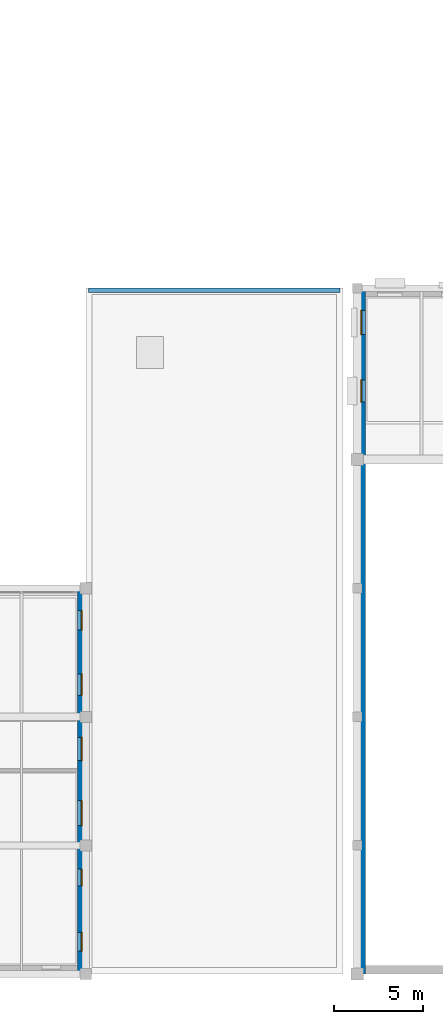
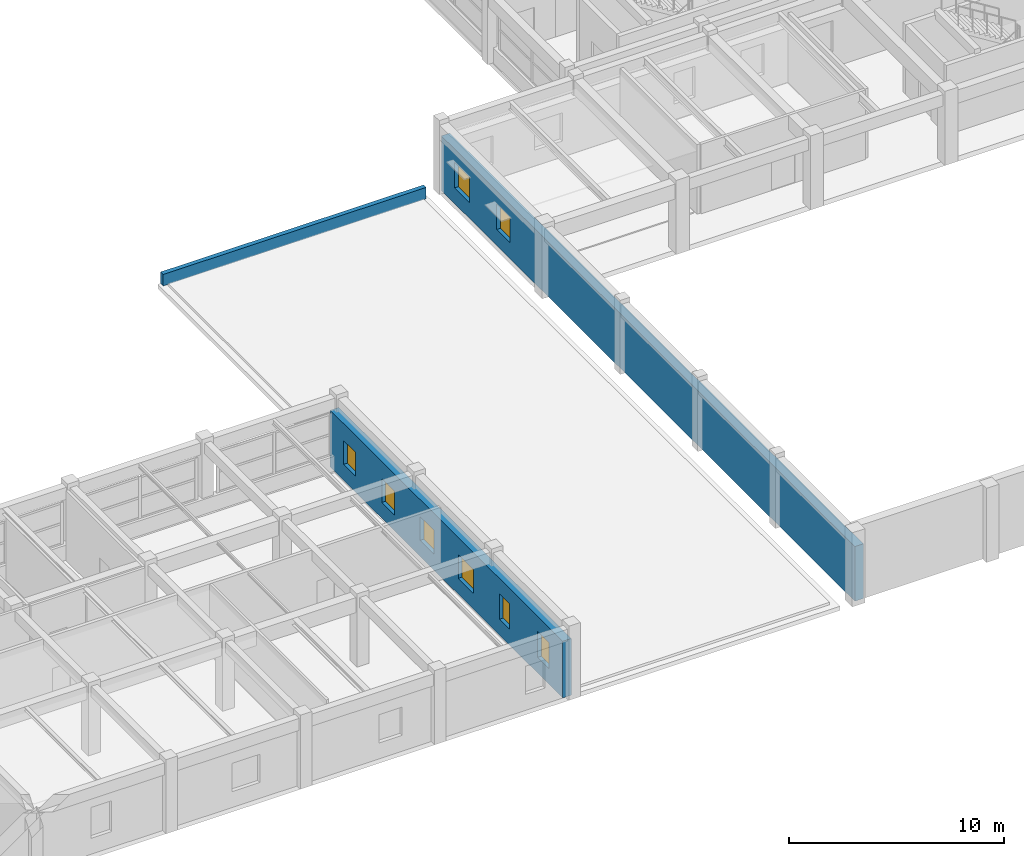
# One storey, part 48 of 67: 8 windows, 3 walls, 8 openings.
"""IFC4 building model written with IfcOpenShell, lengths in metres."""

from ifc_helpers import new_model, si_unit, direction, frame, frame_2d, origin, place, context, subcontext, project, spatial, rectangle, extrude, material, layer, layer_set, type_object, element, fill, save


model = new_model("IFC4")

# Units and contexts
model_context = context("Model", 3, precision=1e-05, world=origin(), true_north=direction((0.0, 1.0)))
body_context = subcontext(model_context, "Body", "Model", "MODEL_VIEW")
ifc_project = project(units=[si_unit("LENGTHUNIT", "METRE"), si_unit("AREAUNIT", "SQUARE_METRE"), si_unit("VOLUMEUNIT", "CUBIC_METRE"), si_unit("PLANEANGLEUNIT", "RADIAN"), si_unit("MASSUNIT", "GRAM", prefix="KILO")], contexts=[model_context])

# Site, building, storey
site_placement = place(None, origin())
site = spatial("IfcSite", under=ifc_project, at=site_placement, CompositionType="ELEMENT")
building_placement = place(site_placement, origin())
building = spatial("IfcBuilding", under=site, at=building_placement, Name="Bramveld Media Centre", CompositionType="ELEMENT")
storey_placement = place(building_placement, frame((0.0, 0.0, 5.39990234375)))
storey = spatial("IfcBuildingStorey", under=building, at=storey_placement, Name="L01", CompositionType="ELEMENT", Elevation=5.39990234375)

# Wall, openings, windows
ifc_material_1 = material(Name="Flemish red-brown clay facing brick cavity wall with concrete C35/45 inner leaf", Category="masonry")
ifc_layer_1 = layer(ifc_material_1, 0.4599609375)
ifc_layer_set_1 = layer_set([ifc_layer_1], Name="Flemish red-brown clay facing brick cavity wall with concrete C35/45 inner leaf")
wall_type_1 = type_object("IfcWallType", Name="EW-BRK-460", PredefinedType="SOLIDWALL", material=ifc_layer_set_1)
wall_1_placement = place(storey_placement, frame((124.22998046875, 0.0, 0.0), z_axis=(0.0, 0.0, 1.0), x_axis=(0.0, 1.0, 0.0)))
wall_1 = element("IfcWall", 1, at=wall_1_placement, inside=storey, type_object=wall_type_1, Name="V1 L01 W facing brick exterior wall", PredefinedType="SOLIDWALL", context=body_context, shape_type="SweptSolid", body=[
    extrude(rectangle(XDim=38.39990234375, YDim=0.4599609375, at=frame_2d((19.199951171875, 0.0))), origin(), (0.0, 0.0, 1.0), 3.09521484375),
])
opening_1_placement = place(wall_1_placement, frame((32.014892578125, 0.0, 0.89990234375)))
opening_1 = element("IfcOpeningElement", 2, at=opening_1_placement, cuts=wall_1, Name="Opening W-10", PredefinedType="OPENING", context=body_context, shape_type="SweptSolid", body=[
    extrude(rectangle(XDim=1.25, YDim=1.449951171875, at=frame_2d((0.625, 0.72509765625))), frame((0.0, 0.241943359375, 0.0), z_axis=(0.0, -1.0, 0.0), x_axis=(1.0, 0.0, 0.0)), (0.0, 0.0, 1.0), 0.48388671875),
])
opening_2_placement = place(wall_1_placement, frame((35.804931640625, 0.0, 0.89990234375)))
opening_2 = element("IfcOpeningElement", 3, at=opening_2_placement, cuts=wall_1, Name="Opening W-11", PredefinedType="OPENING", context=body_context, shape_type="SweptSolid", body=[
    extrude(rectangle(XDim=1.35009765625, YDim=1.449951171875, at=frame_2d((0.675048828125, 0.72509765625))), frame((0.0, 0.241943359375, 0.0), z_axis=(0.0, -1.0, 0.0), x_axis=(1.0, 0.0, 0.0)), (0.0, 0.0, 1.0), 0.48388671875),
])
ifc_material_2 = material(Name="Thermally broken anodized bronze aluminium frame with triple acoustic glazing", Category="aluminium")
window_type_1 = type_object("IfcWindowType", Name="WIN-FAC-10", PartitioningType="SINGLE_PANEL", PredefinedType="WINDOW", material=ifc_material_2)
window_1_placement = place(opening_1_placement, origin())
window_1 = element("IfcWindow", 4, at=window_1_placement, inside=storey, type_object=window_type_1, Name="V1 L01 W acoustic facade window", OverallHeight=1.449951171875, OverallWidth=1.25, PartitioningType="SINGLE_PANEL", PredefinedType="WINDOW", context=body_context, shape_type="SweptSolid", body=[
    extrude(rectangle(XDim=1.25, YDim=1.449951171875, at=frame_2d((0.625, 0.72509765625))), frame((0.0, 0.030029296875, 0.0), z_axis=(0.0, -1.0, 0.0), x_axis=(1.0, 0.0, 0.0)), (0.0, 0.0, 1.0), 0.06005859375),
])
fill(opening_1, window_1)
ifc_material_3 = material(Name="Thermally broken anodized bronze aluminium frame with triple acoustic glazing", Category="aluminium")
window_type_2 = type_object("IfcWindowType", Name="WIN-FAC-11", PartitioningType="SINGLE_PANEL", PredefinedType="WINDOW", material=ifc_material_3)
window_2_placement = place(opening_2_placement, origin())
window_2 = element("IfcWindow", 5, at=window_2_placement, inside=storey, type_object=window_type_2, Name="V1 L01 W acoustic facade window", OverallHeight=1.449951171875, OverallWidth=1.35009765625, PartitioningType="SINGLE_PANEL", PredefinedType="WINDOW", context=body_context, shape_type="SweptSolid", body=[
    extrude(rectangle(XDim=1.35009765625, YDim=1.449951171875, at=frame_2d((0.675048828125, 0.72509765625))), frame((0.0, 0.030029296875, 0.0), z_axis=(0.0, -1.0, 0.0), x_axis=(1.0, 0.0, 0.0)), (0.0, 0.0, 1.0), 0.06005859375),
])
fill(opening_2, window_2)

wall_2_placement = place(storey_placement, frame((108.570068359375, 21.60009765625, 0.0), z_axis=(0.0, 0.0, 1.0), x_axis=(0.0, -1.0, 0.0)))
wall_2 = element("IfcWall", 6, at=wall_2_placement, inside=storey, type_object=wall_type_1, Name="V5 L01 E facing brick exterior wall", PredefinedType="SOLIDWALL", context=body_context, shape_type="SweptSolid", body=[
    extrude(rectangle(XDim=21.60009765625, YDim=0.4599609375, at=frame_2d((10.800048828125, 0.0))), origin(), (0.0, 0.0, 1.0), 3.215087890625),
])
opening_3_placement = place(wall_2_placement, frame((1.25, 0.0, 0.89990234375)))
opening_3 = element("IfcOpeningElement", 7, at=opening_3_placement, cuts=wall_2, Name="Opening W-03", PredefinedType="OPENING", context=body_context, shape_type="SweptSolid", body=[
    extrude(rectangle(XDim=1.10009765625, YDim=1.35009765625, at=frame_2d((0.550048828125, 0.675048828125))), frame((0.0, 0.241943359375, 0.0), z_axis=(0.0, -1.0, 0.0), x_axis=(1.0, 0.0, 0.0)), (0.0, 0.0, 1.0), 0.48388671875),
])
opening_4_placement = place(wall_2_placement, frame((4.800048828125, 0.0, 0.89990234375)))
opening_4 = element("IfcOpeningElement", 8, at=opening_4_placement, cuts=wall_2, Name="Opening W-04", PredefinedType="OPENING", context=body_context, shape_type="SweptSolid", body=[
    extrude(rectangle(XDim=1.199951171875, YDim=1.35009765625, at=frame_2d((0.60009765625, 0.675048828125))), frame((0.0, 0.241943359375, 0.0), z_axis=(0.0, -1.0, 0.0), x_axis=(1.0, 0.0, 0.0)), (0.0, 0.0, 1.0), 0.48388671875),
])
opening_5_placement = place(wall_2_placement, frame((8.35009765625, 0.0, 0.89990234375)))
opening_5 = element("IfcOpeningElement", 9, at=opening_5_placement, cuts=wall_2, Name="Opening W-05", PredefinedType="OPENING", context=body_context, shape_type="SweptSolid", body=[
    extrude(rectangle(XDim=1.300048828125, YDim=1.35009765625, at=frame_2d((0.64990234375, 0.675048828125))), frame((0.0, 0.241943359375, 0.0), z_axis=(0.0, -1.0, 0.0), x_axis=(1.0, 0.0, 0.0)), (0.0, 0.0, 1.0), 0.48388671875),
])
opening_6_placement = place(wall_2_placement, frame((11.89990234375, 0.0, 0.89990234375)))
opening_6 = element("IfcOpeningElement", 10, at=opening_6_placement, cuts=wall_2, Name="Opening W-06", PredefinedType="OPENING", context=body_context, shape_type="SweptSolid", body=[
    extrude(rectangle(XDim=1.39990234375, YDim=1.35009765625, at=frame_2d((0.699951171875, 0.675048828125))), frame((0.0, 0.241943359375, 0.0), z_axis=(0.0, -1.0, 0.0), x_axis=(1.0, 0.0, 0.0)), (0.0, 0.0, 1.0), 0.48388671875),
])
opening_7_placement = place(wall_2_placement, frame((15.72509765625, 0.0, 0.89990234375)))
opening_7 = element("IfcOpeningElement", 11, at=opening_7_placement, cuts=wall_2, Name="Opening W-07", PredefinedType="OPENING", context=body_context, shape_type="SweptSolid", body=[
    extrude(rectangle(XDim=0.949951171875, YDim=1.449951171875, at=frame_2d((0.47509765625, 0.72509765625))), frame((0.0, 0.241943359375, 0.0), z_axis=(0.0, -1.0, 0.0), x_axis=(1.0, 0.0, 0.0)), (0.0, 0.0, 1.0), 0.48388671875),
])
opening_8_placement = place(wall_2_placement, frame((19.27490234375, 0.0, 0.89990234375)))
opening_8 = element("IfcOpeningElement", 12, at=opening_8_placement, cuts=wall_2, Name="Opening W-08", PredefinedType="OPENING", context=body_context, shape_type="SweptSolid", body=[
    extrude(rectangle(XDim=1.050048828125, YDim=1.449951171875, at=frame_2d((0.52490234375, 0.72509765625))), frame((0.0, 0.241943359375, 0.0), z_axis=(0.0, -1.0, 0.0), x_axis=(1.0, 0.0, 0.0)), (0.0, 0.0, 1.0), 0.48388671875),
])
ifc_material_4 = material(Name="Thermally broken anodized bronze aluminium frame with triple acoustic glazing", Category="aluminium")
window_type_3 = type_object("IfcWindowType", Name="WIN-FAC-03", PartitioningType="SINGLE_PANEL", PredefinedType="WINDOW", material=ifc_material_4)
window_3_placement = place(opening_3_placement, origin())
window_3 = element("IfcWindow", 13, at=window_3_placement, inside=storey, type_object=window_type_3, Name="V5 L01 E acoustic facade window", OverallHeight=1.35009765625, OverallWidth=1.10009765625, PartitioningType="SINGLE_PANEL", PredefinedType="WINDOW", context=body_context, shape_type="SweptSolid", body=[
    extrude(rectangle(XDim=1.10009765625, YDim=1.35009765625, at=frame_2d((0.550048828125, 0.675048828125))), frame((0.0, 0.030029296875, 0.0), z_axis=(0.0, -1.0, 0.0), x_axis=(1.0, 0.0, 0.0)), (0.0, 0.0, 1.0), 0.06005859375),
])
fill(opening_3, window_3)
ifc_material_5 = material(Name="Thermally broken anodized bronze aluminium frame with triple acoustic glazing", Category="aluminium")
window_type_4 = type_object("IfcWindowType", Name="WIN-FAC-04", PartitioningType="SINGLE_PANEL", PredefinedType="WINDOW", material=ifc_material_5)
window_4_placement = place(opening_4_placement, origin())
window_4 = element("IfcWindow", 14, at=window_4_placement, inside=storey, type_object=window_type_4, Name="V5 L01 E acoustic facade window", OverallHeight=1.35009765625, OverallWidth=1.199951171875, PartitioningType="SINGLE_PANEL", PredefinedType="WINDOW", context=body_context, shape_type="SweptSolid", body=[
    extrude(rectangle(XDim=1.199951171875, YDim=1.35009765625, at=frame_2d((0.60009765625, 0.675048828125))), frame((0.0, 0.030029296875, 0.0), z_axis=(0.0, -1.0, 0.0), x_axis=(1.0, 0.0, 0.0)), (0.0, 0.0, 1.0), 0.06005859375),
])
fill(opening_4, window_4)
ifc_material_6 = material(Name="Thermally broken anodized bronze aluminium frame with triple acoustic glazing", Category="aluminium")
window_type_5 = type_object("IfcWindowType", Name="WIN-FAC-05", PartitioningType="SINGLE_PANEL", PredefinedType="WINDOW", material=ifc_material_6)
window_5_placement = place(opening_5_placement, origin())
window_5 = element("IfcWindow", 15, at=window_5_placement, inside=storey, type_object=window_type_5, Name="V5 L01 E acoustic facade window", OverallHeight=1.35009765625, OverallWidth=1.300048828125, PartitioningType="SINGLE_PANEL", PredefinedType="WINDOW", context=body_context, shape_type="SweptSolid", body=[
    extrude(rectangle(XDim=1.300048828125, YDim=1.35009765625, at=frame_2d((0.64990234375, 0.675048828125))), frame((0.0, 0.030029296875, 0.0), z_axis=(0.0, -1.0, 0.0), x_axis=(1.0, 0.0, 0.0)), (0.0, 0.0, 1.0), 0.06005859375),
])
fill(opening_5, window_5)
ifc_material_7 = material(Name="Thermally broken anodized bronze aluminium frame with triple acoustic glazing", Category="aluminium")
window_type_6 = type_object("IfcWindowType", Name="WIN-FAC-06", PartitioningType="SINGLE_PANEL", PredefinedType="WINDOW", material=ifc_material_7)
window_6_placement = place(opening_6_placement, origin())
window_6 = element("IfcWindow", 16, at=window_6_placement, inside=storey, type_object=window_type_6, Name="V5 L01 E acoustic facade window", OverallHeight=1.35009765625, OverallWidth=1.39990234375, PartitioningType="SINGLE_PANEL", PredefinedType="WINDOW", context=body_context, shape_type="SweptSolid", body=[
    extrude(rectangle(XDim=1.39990234375, YDim=1.35009765625, at=frame_2d((0.699951171875, 0.675048828125))), frame((0.0, 0.030029296875, 0.0), z_axis=(0.0, -1.0, 0.0), x_axis=(1.0, 0.0, 0.0)), (0.0, 0.0, 1.0), 0.06005859375),
])
fill(opening_6, window_6)
ifc_material_8 = material(Name="Thermally broken anodized bronze aluminium frame with triple acoustic glazing", Category="aluminium")
window_type_7 = type_object("IfcWindowType", Name="WIN-FAC-07", PartitioningType="SINGLE_PANEL", PredefinedType="WINDOW", material=ifc_material_8)
window_7_placement = place(opening_7_placement, origin())
window_7 = element("IfcWindow", 17, at=window_7_placement, inside=storey, type_object=window_type_7, Name="V5 L01 E acoustic facade window", OverallHeight=1.449951171875, OverallWidth=0.949951171875, PartitioningType="SINGLE_PANEL", PredefinedType="WINDOW", context=body_context, shape_type="SweptSolid", body=[
    extrude(rectangle(XDim=0.949951171875, YDim=1.449951171875, at=frame_2d((0.47509765625, 0.72509765625))), frame((0.0, 0.030029296875, 0.0), z_axis=(0.0, -1.0, 0.0), x_axis=(1.0, 0.0, 0.0)), (0.0, 0.0, 1.0), 0.06005859375),
])
fill(opening_7, window_7)
ifc_material_9 = material(Name="Thermally broken anodized bronze aluminium frame with triple acoustic glazing", Category="aluminium")
window_type_8 = type_object("IfcWindowType", Name="WIN-FAC-08", PartitioningType="SINGLE_PANEL", PredefinedType="WINDOW", material=ifc_material_9)
window_8_placement = place(opening_8_placement, origin())
window_8 = element("IfcWindow", 18, at=window_8_placement, inside=storey, type_object=window_type_8, Name="V5 L01 E acoustic facade window", OverallHeight=1.449951171875, OverallWidth=1.050048828125, PartitioningType="SINGLE_PANEL", PredefinedType="WINDOW", context=body_context, shape_type="SweptSolid", body=[
    extrude(rectangle(XDim=1.050048828125, YDim=1.449951171875, at=frame_2d((0.52490234375, 0.72509765625))), frame((0.0, 0.030029296875, 0.0), z_axis=(0.0, -1.0, 0.0), x_axis=(1.0, 0.0, 0.0)), (0.0, 0.0, 1.0), 0.06005859375),
])
fill(opening_8, window_8)

# Wall
ifc_material_10 = material(Name="Precast concrete C40/50 capped brick roof parapet", Category="masonry")
ifc_layer_2 = layer(ifc_material_10, 0.239990234375)
ifc_layer_set_2 = layer_set([ifc_layer_2], Name="Precast concrete C40/50 capped brick roof parapet")
wall_type_2 = type_object("IfcWallType", Name="PARAPET-240", PredefinedType="PARAPET", material=ifc_layer_set_2)
wall_3_placement = place(storey_placement, frame((108.949951171875, 38.280029296875, 0.0), z_axis=(0.0, 0.0, 1.0), x_axis=(1.0, 0.0, 0.0)))
element("IfcWall", 19, at=wall_3_placement, inside=storey, type_object=wall_type_2, Name="V5 L01 roof parapet upstand", PredefinedType="PARAPET", context=body_context, shape_type="SweptSolid", body=[
    extrude(rectangle(XDim=14.10009765625, YDim=0.239990234375, at=frame_2d((7.050048828125, 0.0))), origin(), (0.0, 0.0, 1.0), 0.650146484375),
])

save(model, "model.ifc")
